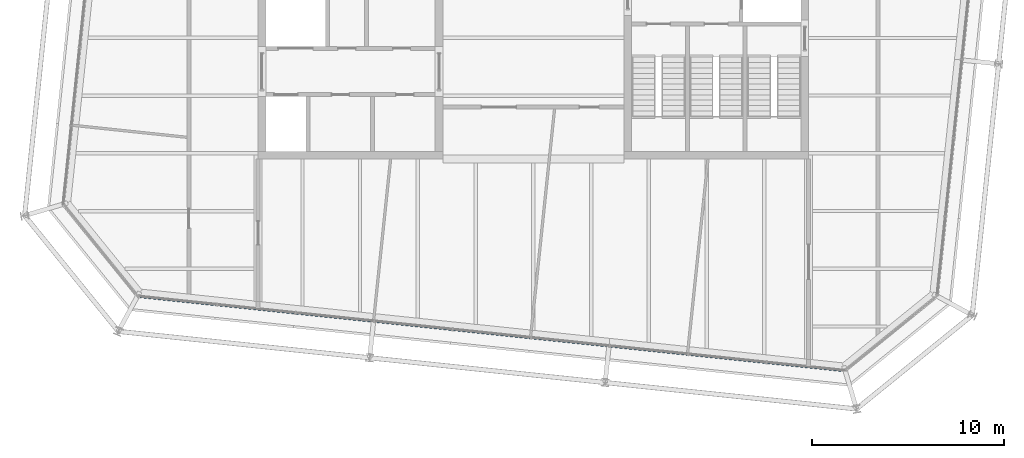
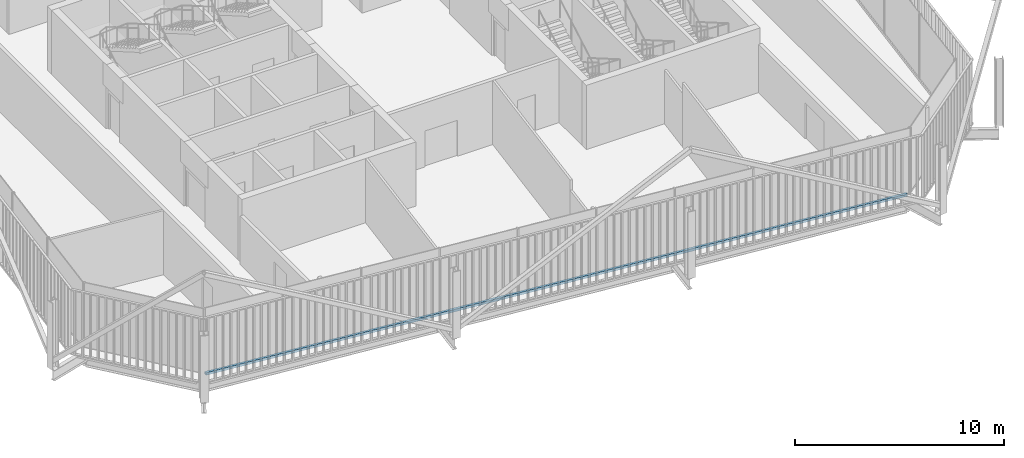
# One storey, part 4 of 21: 1 member, 1 element without a shape of its own.
"""IFC4 building model written with IfcOpenShell, lengths in metres."""

import ifcopenshell
import ifcopenshell.guid

model = None  # the IFC model being written
_history = None  # IfcOwnerHistory: only IFC2X3 demands one
_inside = {}  # id of a spatial element -> (the spatial element, [elements in it])
_under = {}  # id of a project, library or spatial element -> (it, [spatial elements below it])
_declared = {}  # id of a project -> (the project, [libraries it declares])
_typed = {}  # id of a type object -> (the type object, [elements of that type])
_made_of = {}  # id of a material, layer set ... -> (it, [elements and type objects made of it])


def new_model(schema):
    """Start an empty IFC model of exactly this schema.

    Asked for "IFC4X3", IfcOpenShell would pick the latest addendum, in which some entities
    have other attributes; the version numbers below select the first issue.
    IFC2X3 requires an IfcOwnerHistory on every rooted entity: one is made here for all.
    """
    global model, _history
    if schema == "IFC4X3":
        model = ifcopenshell.file(schema_version=(4, 3, 0, 0))
    else:
        model = ifcopenshell.file(schema=schema)
    _inside.clear()
    _under.clear()
    _declared.clear()
    _typed.clear()
    _made_of.clear()
    _history = None
    if model.schema == "IFC2X3":
        org = make("IfcOrganization", Name="unknown")
        user = make(
            "IfcPersonAndOrganization",
            ThePerson=make("IfcPerson", FamilyName="unknown"),
            TheOrganization=org,
        )
        app = make(
            "IfcApplication",
            ApplicationDeveloper=org,
            Version="unknown",
            ApplicationFullName="unknown",
            ApplicationIdentifier="unknown",
        )
        _history = make(
            "IfcOwnerHistory",
            OwningUser=user,
            OwningApplication=app,
            ChangeAction="ADDED",
            CreationDate=0,
        )
    return model


def make(cls, **values):
    """One entity of the class cls with the attributes given. An attribute that is None is left unset."""
    return model.create_entity(
        cls, **{name: value for name, value in values.items() if value is not None}
    )


def rooted(cls, **values):
    """An entity with a GlobalId (a new one), such as an element, a storey or a relation."""
    return make(cls, GlobalId=ifcopenshell.guid.new(), OwnerHistory=_history, **values)


def si_unit(unit_type, name, prefix=None):
    """IfcSIUnit, for example si_unit("LENGTHUNIT", "METRE", prefix="MILLI")."""
    return make("IfcSIUnit", UnitType=unit_type, Prefix=prefix, Name=name)


def assignment(units):
    """IfcUnitAssignment: the units of a project."""
    return None if units is None else make("IfcUnitAssignment", Units=units)


def point(xyz):
    """IfcCartesianPoint."""
    return None if xyz is None else make("IfcCartesianPoint", Coordinates=xyz)


def direction(xyz):
    """IfcDirection."""
    return None if xyz is None else make("IfcDirection", DirectionRatios=xyz)


def frame(location, z_axis=None, x_axis=None):
    """IfcAxis2Placement3D, a coordinate frame: its origin and axes. An axis left out is left unset."""
    return make(
        "IfcAxis2Placement3D",
        Location=point(location),
        Axis=direction(z_axis),
        RefDirection=direction(x_axis),
    )


def frame_2d(location, x_axis=None):
    """IfcAxis2Placement2D, a coordinate frame in the plane: its origin and x axis."""
    return make(
        "IfcAxis2Placement2D", Location=point(location), RefDirection=direction(x_axis)
    )


def origin():
    """The frame at (0, 0, 0) with its axes left unset."""
    return frame((0.0, 0.0, 0.0))


def origin_2d():
    """The frame at (0, 0) in the plane with its x axis left unset."""
    return frame_2d((0.0, 0.0))


def place(relative_to, where):
    """IfcLocalPlacement: puts the frame where relative to a parent placement (None: the world)."""
    return make(
        "IfcLocalPlacement", PlacementRelTo=relative_to, RelativePlacement=where
    )


def context(
    kind, dimensions, precision=None, world=None, true_north=None, identifier=None
):
    """IfcGeometricRepresentationContext, for example the 3D "Model" context."""
    return make(
        "IfcGeometricRepresentationContext",
        ContextIdentifier=identifier,
        ContextType=kind,
        CoordinateSpaceDimension=dimensions,
        Precision=precision,
        WorldCoordinateSystem=world,
        TrueNorth=true_north,
    )


def subcontext(parent, identifier, kind, view, scale=None):
    """IfcGeometricRepresentationSubContext, for example "Body" below "Model"."""
    return make(
        "IfcGeometricRepresentationSubContext",
        ContextIdentifier=identifier,
        ContextType=kind,
        ParentContext=parent,
        TargetScale=scale,
        TargetView=view,
    )


def project(units=None, contexts=None):
    """IfcProject with its units and contexts."""
    return rooted(
        "IfcProject",
        Name="project",
        RepresentationContexts=contexts,
        UnitsInContext=assignment(units),
    )


def spatial(cls, under=None, at=None, **own):
    """A site, building, storey or space (cls), placed at a placement, below another one or the project."""
    s = rooted(cls, ObjectPlacement=at, **own)
    if under is not None:
        _under.setdefault(under.id(), (under, []))[1].append(s)
    return s


def profile(cls, at=None, kind="AREA", **sizes):
    """A parametric profile (cls). Its sizes go by their IFC names, for example OverallWidth=200.0."""
    return make(cls, ProfileType=kind, Position=at, **sizes)


def rectangle(**sizes):
    """IfcRectangleProfileDef."""
    return profile("IfcRectangleProfileDef", **sizes)


def extrude(swept, where, along, depth):
    """IfcExtrudedAreaSolid: the profile swept, set in the frame where, extruded along a direction by depth."""
    return make(
        "IfcExtrudedAreaSolid",
        SweptArea=swept,
        Position=where,
        ExtrudedDirection=direction(along),
        Depth=depth,
    )


def shape(context_of_items, identifier, shape_type, items):
    """IfcShapeRepresentation: the items that make up one representation, for example the "Body"."""
    return make(
        "IfcShapeRepresentation",
        ContextOfItems=context_of_items,
        RepresentationIdentifier=identifier,
        RepresentationType=shape_type,
        Items=items,
    )


def material(Name=None, Category=None):
    """IfcMaterial."""
    return make("IfcMaterial", Name=Name, Category=Category)


def layer(
    of_material, thickness, ventilated=None, Name=None, Category=None, Priority=None
):
    """IfcMaterialLayer: one layer of a wall or slab, of a material (None: an air gap)."""
    return make(
        "IfcMaterialLayer",
        Material=of_material,
        LayerThickness=thickness,
        IsVentilated=ventilated,
        Name=Name,
        Category=Category,
        Priority=Priority,
    )


def layer_set(layers, Name=None):
    """IfcMaterialLayerSet."""
    return make("IfcMaterialLayerSet", MaterialLayers=layers, LayerSetName=Name)


def material_profile(
    of_material, cross_section, Name=None, Category=None, Priority=None
):
    """IfcMaterialProfile: a cross section and its material."""
    return make(
        "IfcMaterialProfile",
        Name=Name,
        Material=of_material,
        Profile=cross_section,
        Priority=Priority,
        Category=Category,
    )


def profile_set(profiles, Name=None, composite=None):
    """IfcMaterialProfileSet."""
    return make(
        "IfcMaterialProfileSet",
        Name=Name,
        MaterialProfiles=profiles,
        CompositeProfile=composite,
    )


def made_of(thing, what):
    """Note that an element or type object is made of a material, layer set ...; save() writes the relation."""
    if what is not None:
        _made_of.setdefault(what.id(), (what, []))[1].append(thing)
    return thing


def type_object(cls, material=None, **own):
    """A type object (cls), such as IfcWallType, which elements share."""
    return made_of(rooted(cls, **own), material)


def element(
    cls,
    number,
    at=None,
    inside=None,
    cuts=None,
    type_object=None,
    material=None,
    context=None,
    identifier="Body",
    shape_type=None,
    held_by="IfcProductDefinitionShape",
    body=None,
    shapes=None,
    **own,
):
    """One element of the class cls, such as IfcWall. Its Tag is "e" and its number.

    at: its placement. inside: the storey or other place that contains it. cuts: it is an
    opening in that element (IfcRelVoidsElement). A single representation is given by context,
    identifier, shape_type and body (its items); several are given by shapes. held_by: the class
    of the entity that holds the representations. save() writes the other relations.
    """
    e = rooted(cls, Tag="e%d" % number, ObjectPlacement=at, **own)
    if body is not None:
        shapes = [shape(context, identifier, shape_type, body)]
    if shapes is not None:
        e.Representation = make(held_by, Representations=shapes)
    if inside is not None:
        _inside.setdefault(inside.id(), (inside, []))[1].append(e)
    if cuts is not None:
        rooted(
            "IfcRelVoidsElement", RelatingBuildingElement=cuts, RelatedOpeningElement=e
        )
    if type_object is not None:
        _typed.setdefault(type_object.id(), (type_object, []))[1].append(e)
    return made_of(e, material)


def aggregate(whole, parts):
    """IfcRelAggregates: a whole, such as a stair, and the parts it consists of."""
    return rooted("IfcRelAggregates", RelatingObject=whole, RelatedObjects=parts)


def save(model, path):
    """Write the relations noted so far, then the file.

    IfcRelAggregates (storeys below a building ...), IfcRelContainedInSpatialStructure (elements
    in a storey), IfcRelDefinesByType, IfcRelAssociatesMaterial and IfcRelDeclares: one each for
    every whole, place, type object, material and project.
    """
    for whole, parts in _under.values():
        aggregate(whole, parts)
    for where, things in _inside.values():
        rooted(
            "IfcRelContainedInSpatialStructure",
            RelatedElements=things,
            RelatingStructure=where,
        )
    for kind, things in _typed.values():
        rooted("IfcRelDefinesByType", RelatedObjects=things, RelatingType=kind)
    for what, things in _made_of.values():
        rooted("IfcRelAssociatesMaterial", RelatedObjects=things, RelatingMaterial=what)
    for by, libraries in _declared.values():
        rooted("IfcRelDeclares", RelatingContext=by, RelatedDefinitions=libraries)
    model.write(path)


model = new_model("IFC4")

# Units and contexts
model_context = context("Model", 3, precision=1e-05, world=origin(), true_north=direction((0.0, 1.0)))
body_context = subcontext(model_context, "Body", "Model", "MODEL_VIEW")
ifc_project = project(units=[si_unit("LENGTHUNIT", "METRE"), si_unit("AREAUNIT", "SQUARE_METRE"), si_unit("VOLUMEUNIT", "CUBIC_METRE"), si_unit("PLANEANGLEUNIT", "RADIAN"), si_unit("MASSUNIT", "GRAM", prefix="KILO")], contexts=[model_context])

# Site, building, storey
site_placement = place(None, origin())
site = spatial("IfcSite", under=ifc_project, at=site_placement, CompositionType="ELEMENT")
building_placement = place(site_placement, origin())
building = spatial("IfcBuilding", under=site, at=building_placement, Name="Millrace Tower", CompositionType="ELEMENT")
storey_placement = place(building_placement, frame((0.0, 0.0, 291.60009765625)))
storey = spatial("IfcBuildingStorey", under=building, at=storey_placement, Name="L67", CompositionType="ELEMENT", Elevation=291.60009765625)

# Curtain wall, member
ifc_material_1 = material(Name="Aluminium and glass", Category="aluminium")
ifc_layer = layer(ifc_material_1, 0.14990234375)
ifc_layer_set = layer_set([ifc_layer], Name="Aluminium and glass")
curtain_wall_type = type_object("IfcCurtainWallType", Name="CW-1 office vision curtain wall", PredefinedType="NOTDEFINED", material=ifc_layer_set)
curtain_wall_placement = place(storey_placement, origin())
curtain_wall = element("IfcCurtainWall", 1, at=curtain_wall_placement, inside=storey, type_object=curtain_wall_type, Name="Curtain wall E-F02 L67", PredefinedType="NOTDEFINED")
ifc_material_2 = material(Name="Aluminium", Category="aluminium")
ifc_material_profile = material_profile(ifc_material_2, rectangle(XDim=0.14990234375, YDim=0.139892578125, at=origin_2d()))
ifc_profile_set = profile_set([ifc_material_profile], Name="Aluminium")
member_type = type_object("IfcMemberType", Name="CW-1 office vision curtain wall transom", PredefinedType="USERDEFINED", material=ifc_profile_set)
member_placement = place(storey_placement, frame((-20.435302734375, -16.431884765625, 0.06982421875), z_axis=(0.994521952886, -0.104527916025, 0.0), x_axis=(0.104527916025, 0.994521952886, 0.0)))
member = element("IfcMember", 2, at=member_placement, type_object=member_type, Name="CW1 transom E-F02.1", ObjectType="TRANSOM", PredefinedType="USERDEFINED", context=body_context, shape_type="SweptSolid", body=[
    extrude(rectangle(XDim=0.14990234375, YDim=0.139892578125, at=origin_2d()), origin(), (0.0, 0.0, 1.0), 36.699951171875),
])
aggregate(curtain_wall, [member])

save(model, "model.ifc")
